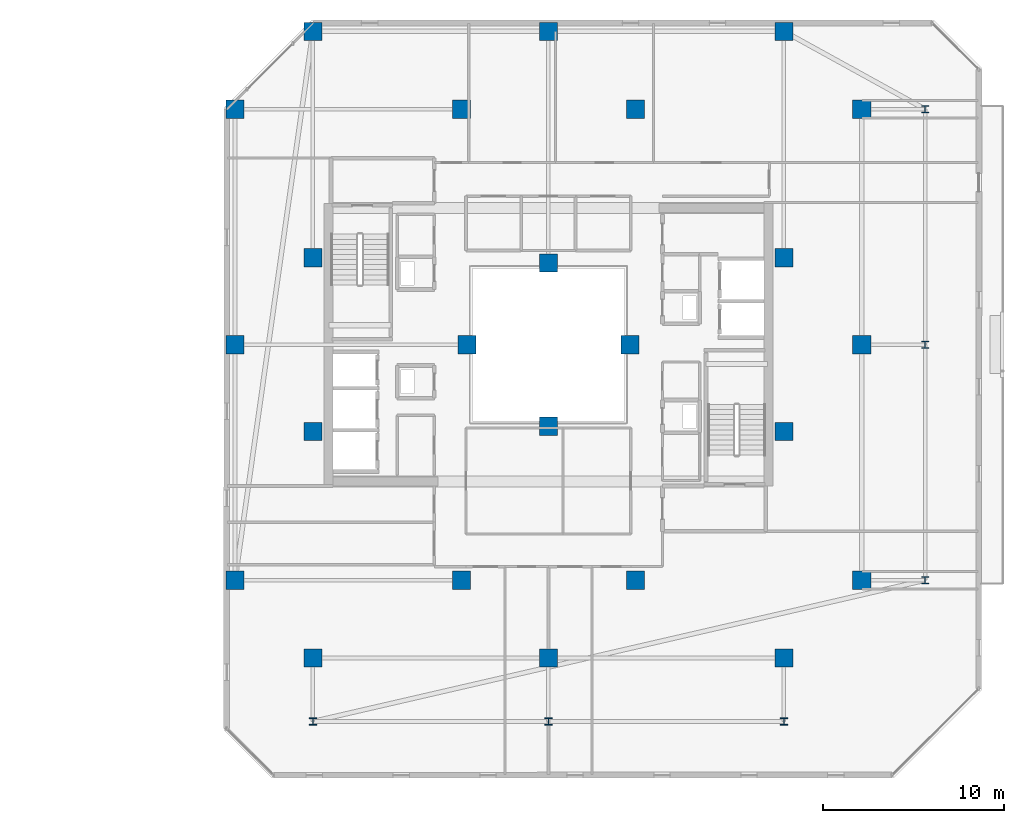
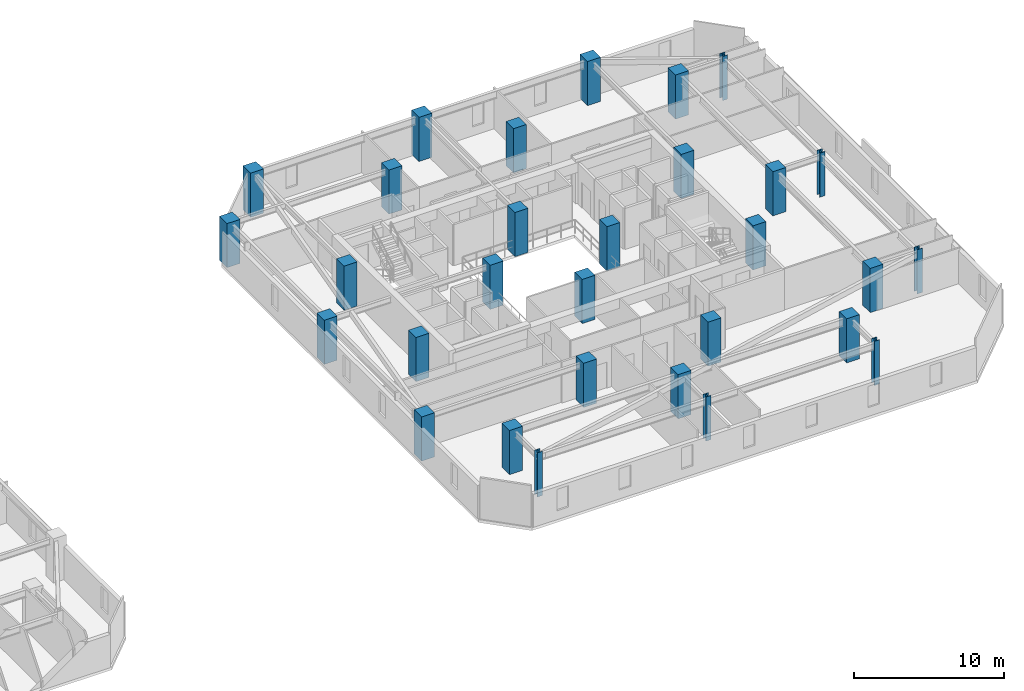
# One storey, part 2 of 32: 30 columns.
"""IFC4 building model written with IfcOpenShell, lengths in metres."""

from ifc_helpers import new_model, si_unit, direction, frame, origin, origin_2d, place, context, subcontext, project, spatial, rectangle, i_section, extrude, material, material_profile, profile_set, type_object, element, save


model = new_model("IFC4")

# Units and contexts
model_context = context("Model", 3, precision=1e-05, world=origin(), true_north=direction((0.0, 1.0)))
body_context = subcontext(model_context, "Body", "Model", "MODEL_VIEW")
ifc_project = project(units=[si_unit("LENGTHUNIT", "METRE"), si_unit("AREAUNIT", "SQUARE_METRE"), si_unit("VOLUMEUNIT", "CUBIC_METRE"), si_unit("PLANEANGLEUNIT", "RADIAN"), si_unit("MASSUNIT", "GRAM", prefix="KILO")], contexts=[model_context])

# Site, building, storey
site_placement = place(None, origin())
site = spatial("IfcSite", under=ifc_project, at=site_placement, CompositionType="ELEMENT")
building_placement = place(site_placement, origin())
building = spatial("IfcBuilding", under=site, at=building_placement, Name="Thornwick Lancets Civic Towers", CompositionType="ELEMENT")
storey_placement = place(building_placement, frame((0.0, 0.0, 247.5)))
storey = spatial("IfcBuildingStorey", under=building, at=storey_placement, Name="L66", CompositionType="ELEMENT", Elevation=247.5)

# Columns
ifc_material_1 = material(Name="Concrete C50/60", Category="concrete")
ifc_material_profile_1 = material_profile(ifc_material_1, rectangle(XDim=1.0, YDim=1.0, at=origin_2d()), Name="RC 1000x1000")
ifc_profile_set_1 = profile_set([ifc_material_profile_1], Name="Concrete C50/60")
column_type_1 = type_object("IfcColumnType", Name="COL_RC_1000", PredefinedType="COLUMN", material=ifc_profile_set_1)
for number, where, z_axis, x_axis, name in (
    (1, (105.800048828125, 14.0, 0.0), (0.0, 0.0, 1.0), (1.0, 0.0, 0.0), "L66 Spine Mega-Column B01"),
    (2, (105.800048828125, 27.0, 0.0), (0.0, 0.0, 1.0), (1.0, 0.0, 0.0), "L66 Spine Mega-Column B02"),
    (3, (105.800048828125, 40.0, 0.0), (0.0, 0.0, 1.0), (1.0, 0.0, 0.0), "L66 Spine Mega-Column B03"),
    (4, (101.5, 44.300048828125, 0.0), (0.0, 0.0, 1.0), (1.0, 0.0, 0.0), "L66 Spine Mega-Column B04"),
    (5, (88.5, 44.300048828125, 0.0), (0.0, 0.0, 1.0), (1.0, 0.0, 0.0), "L66 Spine Mega-Column B05"),
    (6, (75.5, 44.300048828125, 0.0), (0.0, 0.0, 1.0), (1.0, 0.0, 0.0), "L66 Spine Mega-Column B06"),
    (7, (71.199951171875, 14.0, 0.0), (0.0, 0.0, 1.0), (1.0, 0.0, 0.0), "L66 Spine Mega-Column B07"),
    (8, (71.199951171875, 27.0, 0.0), (0.0, 0.0, 1.0), (1.0, 0.0, 0.0), "L66 Spine Mega-Column B08"),
    (9, (71.199951171875, 40.0, 0.0), (0.0, 0.0, 1.0), (1.0, 0.0, 0.0), "L66 Spine Mega-Column B09"),
    (10, (101.5, 9.699951171875, 0.0), (0.0, 0.0, 1.0), (1.0, 0.0, 0.0), "L66 Spine Mega-Column B10"),
    (11, (88.5, 9.699951171875, 0.0), (0.0, 0.0, 1.0), (1.0, 0.0, 0.0), "L66 Spine Mega-Column B11"),
    (12, (75.5, 9.699951171875, 0.0), (0.0, 0.0, 1.0), (1.0, 0.0, 0.0), "L66 Spine Mega-Column B12"),
    (13, (93.300048828125, 14.0, 0.0), (0.0, 0.0, 1.0), (1.0, 0.0, 0.0), "L66 Spine Mega-Column B13"),
    (14, (93.300048828125, 40.0, 0.0), (0.0, 0.0, 1.0), (1.0, 0.0, 0.0), "L66 Spine Mega-Column B14"),
    (15, (83.699951171875, 14.0, 0.0), (0.0, 0.0, 1.0), (1.0, 0.0, 0.0), "L66 Spine Mega-Column B15"),
    (16, (83.699951171875, 40.0, 0.0), (0.0, 0.0, 1.0), (1.0, 0.0, 0.0), "L66 Spine Mega-Column B16"),
    (17, (101.5, 22.199951171875, 0.0), (0.0, 0.0, 1.0), (1.0, 0.0, 0.0), "L66 Spine Mega-Column B17"),
    (18, (101.5, 31.800048828125, 0.0), (0.0, 0.0, 1.0), (1.0, 0.0, 0.0), "L66 Spine Mega-Column B18"),
    (19, (75.5, 22.199951171875, 0.0), (0.0, 0.0, 1.0), (1.0, 0.0, 0.0), "L66 Spine Mega-Column B19"),
    (20, (75.5, 31.800048828125, 0.0), (0.0, 0.0, 1.0), (1.0, 0.0, 0.0), "L66 Spine Mega-Column B20"),
    (21, (93.0, 27.0, 0.0), (0.0, 0.0, 1.0), (1.0, 0.0, 0.0), "L66 Spine Mega-Column B21"),
    (22, (84.0, 27.0, 0.0), (0.0, 0.0, 1.0), (1.0, 0.0, 0.0), "L66 Spine Mega-Column B22"),
    (23, (88.5, 22.5, 0.0), (0.0, 0.0, 1.0), (1.0, 0.0, 0.0), "L66 Spine Mega-Column B23"),
    (24, (88.5, 31.5, 0.0), (0.0, 0.0, 1.0), (1.0, 0.0, 0.0), "L66 Spine Mega-Column B24"),
):
    element("IfcColumn", number, at=place(storey_placement, frame(where, z_axis=z_axis, x_axis=x_axis)), inside=storey, type_object=column_type_1, Name=name, PredefinedType="COLUMN", context=body_context, shape_type="SweptSolid", body=[
        extrude(rectangle(XDim=1.0, YDim=1.0, at=origin_2d()), origin(), (0.0, 0.0, 1.0), 3.60009765625),
    ])
ifc_material_2 = material(Name="Steel S355JR", Category="steel")
ifc_material_profile_2 = material_profile(ifc_material_2, i_section(OverallWidth=0.39892578125, OverallDepth=0.3935546875, WebThickness=0.022705078125, FlangeThickness=0.03662109375, FilletRadius=0.01513671875, at=origin_2d()), Name="UKC 356x406x287")
ifc_profile_set_2 = profile_set([ifc_material_profile_2], Name="Steel S355JR")
column_type_2 = type_object("IfcColumnType", Name="COL_UKC_287", PredefinedType="COLUMN", material=ifc_profile_set_2)
for number, where, z_axis, x_axis, name in (
    (25, (109.300048828125, 14.0, 0.0), (0.0, 0.0, 1.0), (1.0, 0.0, 0.0), "L66 Block Perimeter Column B01"),
    (26, (109.300048828125, 27.0, 0.0), (0.0, 0.0, 1.0), (1.0, 0.0, 0.0), "L66 Block Perimeter Column B02"),
    (27, (109.300048828125, 40.0, 0.0), (0.0, 0.0, 1.0), (1.0, 0.0, 0.0), "L66 Block Perimeter Column B03"),
    (28, (101.5, 6.199951171875, 0.0), (0.0, 0.0, 1.0), (1.0, 0.0, 0.0), "L66 Block Perimeter Column B10"),
    (29, (88.5, 6.199951171875, 0.0), (0.0, 0.0, 1.0), (1.0, 0.0, 0.0), "L66 Block Perimeter Column B11"),
    (30, (75.5, 6.199951171875, 0.0), (0.0, 0.0, 1.0), (1.0, 0.0, 0.0), "L66 Block Perimeter Column B12"),
):
    element("IfcColumn", number, at=place(storey_placement, frame(where, z_axis=z_axis, x_axis=x_axis)), inside=storey, type_object=column_type_2, Name=name, PredefinedType="COLUMN", context=body_context, shape_type="SweptSolid", body=[
        extrude(i_section(OverallWidth=0.39892578125, OverallDepth=0.3935546875, WebThickness=0.022705078125, FlangeThickness=0.03662109375, FilletRadius=0.01513671875, at=origin_2d()), origin(), (0.0, 0.0, 1.0), 3.60009765625),
    ])

save(model, "model.ifc")
